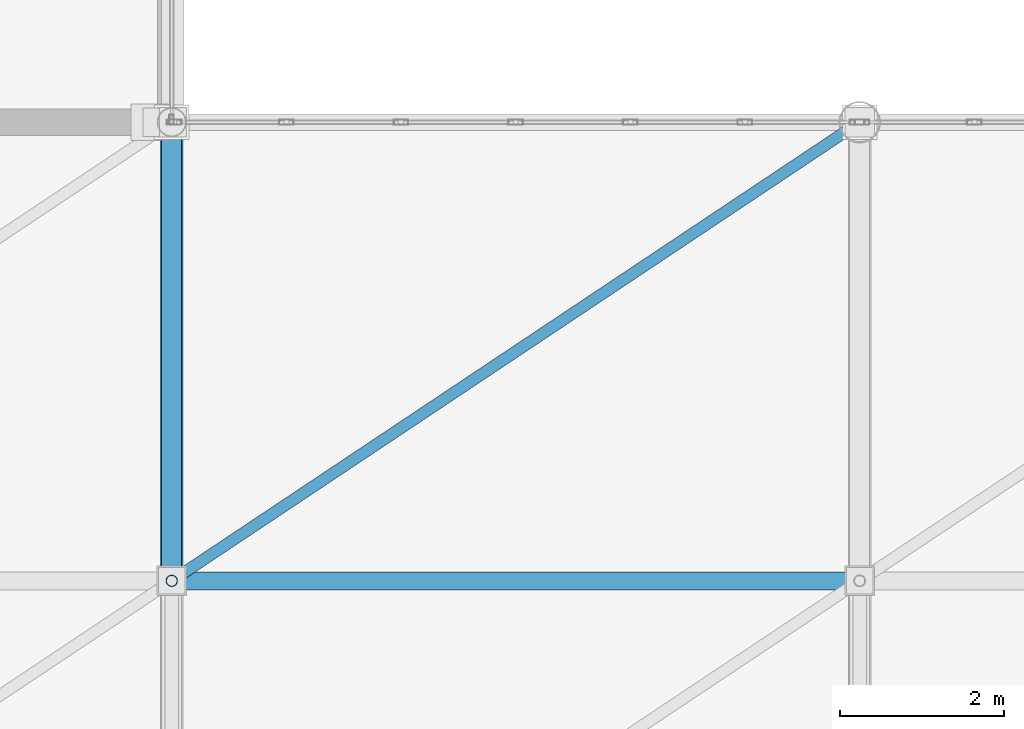
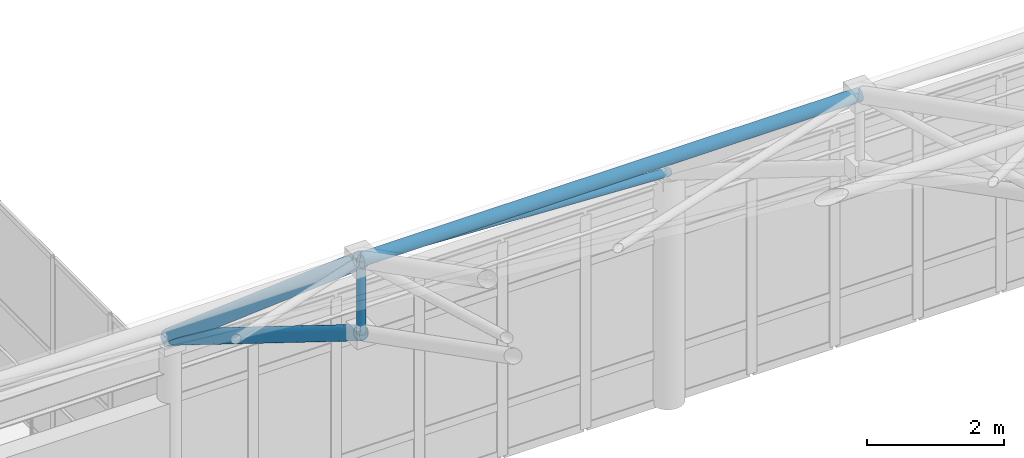
# One storey, part 45 of 184: 5 members.
"""IFC4 building model written with IfcOpenShell, lengths in metres."""

from ifc_helpers import new_model, si_unit, direction, frame, origin, origin_2d, place, context, subcontext, project, spatial, hollow_circle, extrude, material, material_profile, profile_set, type_object, element, save


model = new_model("IFC4")

# Units and contexts
model_context = context("Model", 3, precision=1e-05, world=origin(), true_north=direction((0.0, 1.0)))
body_context = subcontext(model_context, "Body", "Model", "MODEL_VIEW")
ifc_project = project(units=[si_unit("LENGTHUNIT", "METRE"), si_unit("AREAUNIT", "SQUARE_METRE"), si_unit("VOLUMEUNIT", "CUBIC_METRE"), si_unit("PLANEANGLEUNIT", "RADIAN"), si_unit("MASSUNIT", "GRAM", prefix="KILO")], contexts=[model_context])

# Site, building, storey
site_placement = place(None, origin())
site = spatial("IfcSite", under=ifc_project, at=site_placement, CompositionType="ELEMENT")
building_placement = place(site_placement, origin())
building = spatial("IfcBuilding", under=site, at=building_placement, Name="Qalvenar Corner Mobility Hub", CompositionType="ELEMENT")
storey_placement = place(building_placement, frame((0.0, 0.0, 9.0)))
storey = spatial("IfcBuildingStorey", under=building, at=storey_placement, Name="L02", CompositionType="ELEMENT", Elevation=9.0)

# Members
ifc_material = material(Name="Steel S355", Category="steel")
ifc_material_profile_1 = material_profile(ifc_material, hollow_circle(Radius=0.109619140625, WallThickness=0.008056640625, at=origin_2d()), Name="CHS219.1x8")
ifc_profile_set_1 = profile_set([ifc_material_profile_1], Name="Steel S355")
member_type_1 = type_object("IfcMemberType", Name="SF-CHD219", PredefinedType="CHORD", material=ifc_profile_set_1)
member_1_placement = place(storey_placement, frame((58.800048828125, 28.0, 8.837890625), z_axis=(1.0, 0.0, 0.0), x_axis=(0.0, 1.0, 0.0)))
element("IfcMember", 1, at=member_1_placement, inside=storey, type_object=member_type_1, Name="Space Frame Longitudinal Chord SFL-0184", PredefinedType="CHORD", context=body_context, shape_type="SweptSolid", body=[
    extrude(hollow_circle(Radius=0.109619140625, WallThickness=0.008056640625, at=origin_2d()), origin(), (0.0, 0.0, 1.0), 8.39990234375),
])
ifc_material_profile_2 = material_profile(ifc_material, hollow_circle(Radius=0.122314453125, WallThickness=0.0087890625, at=origin_2d()), Name="CHS244.5x8.8")
ifc_profile_set_2 = profile_set([ifc_material_profile_2], Name="Steel S355")
member_type_2 = type_object("IfcMemberType", Name="SF-CHD244", PredefinedType="CHORD", material=ifc_profile_set_2)
member_2_placement = place(storey_placement, frame((58.800048828125, 28.0, 7.537841796875), z_axis=(0.0, 0.849513681623, -0.527566587964), x_axis=(-1.0, 0.0, 0.0)))
element("IfcMember", 2, at=member_2_placement, inside=storey, type_object=member_type_2, Name="Space Frame Bottom Chord SFBC-0037", PredefinedType="CHORD", context=body_context, shape_type="SweptSolid", body=[
    extrude(hollow_circle(Radius=0.122314453125, WallThickness=0.0087890625, at=origin_2d()), origin(), (0.0, 0.0, 1.0), 6.592041015625),
])
ifc_material_profile_3 = material_profile(ifc_material, hollow_circle(Radius=0.136474609375, WallThickness=0.010009765625, at=origin_2d()), Name="CHS273x10")
ifc_profile_set_3 = profile_set([ifc_material_profile_3], Name="Steel S355")
member_type_3 = type_object("IfcMemberType", Name="SF-CHD273", PredefinedType="CHORD", material=ifc_profile_set_3)
member_3_placement = place(storey_placement, frame((58.800048828125, 28.0, 8.837890625), z_axis=(0.0, 0.760748216799, -0.64904710972), x_axis=(-1.0, 0.0, 0.0)))
element("IfcMember", 3, at=member_3_placement, inside=storey, type_object=member_type_3, Name="Space Frame Top Chord SFTC-0036", PredefinedType="CHORD", context=body_context, shape_type="SweptSolid", body=[
    extrude(hollow_circle(Radius=0.136474609375, WallThickness=0.010009765625, at=origin_2d()), origin(), (0.0, 0.0, 1.0), 7.361328125),
])
ifc_material_profile_4 = material_profile(ifc_material, hollow_circle(Radius=0.06982421875, WallThickness=0.0048828125, at=origin_2d()), Name="CHS139.7x5")
ifc_profile_set_4 = profile_set([ifc_material_profile_4], Name="Steel S355")
member_type_4 = type_object("IfcMemberType", Name="SF-STR139", PredefinedType="STRUT", material=ifc_profile_set_4)
member_4_placement = place(storey_placement, frame((58.800048828125, 28.0, 7.537841796875), z_axis=(0.0, 0.0, 1.0), x_axis=(1.0, 0.0, 0.0)))
element("IfcMember", 4, at=member_4_placement, inside=storey, type_object=member_type_4, Name="Space Frame King Strut SFV-0042", PredefinedType="STRUT", context=body_context, shape_type="SweptSolid", body=[
    extrude(hollow_circle(Radius=0.06982421875, WallThickness=0.0048828125, at=origin_2d()), origin(), (0.0, 0.0, 1.0), 1.300048828125),
])
member_5_placement = place(storey_placement, frame((58.800048828125, 28.0, 8.837890625), z_axis=(0.752071189663, 0.50139536559, -0.427775189842), x_axis=(-0.554711357594, 0.832042853317, 0.0)))
element("IfcMember", 5, at=member_5_placement, inside=storey, type_object=member_type_4, Name="Space Frame Plan Strut SFP-0190", PredefinedType="STRUT", context=body_context, shape_type="SweptSolid", body=[
    extrude(hollow_circle(Radius=0.06982421875, WallThickness=0.0048828125, at=origin_2d()), origin(), (0.0, 0.0, 1.0), 11.1689453125),
])

save(model, "model.ifc")
